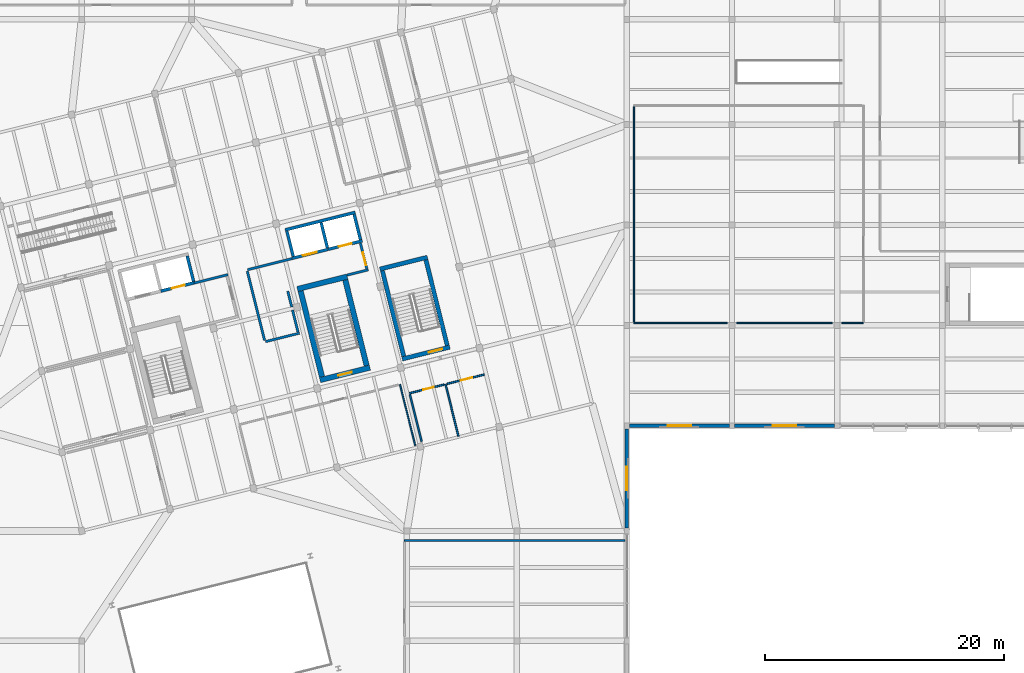
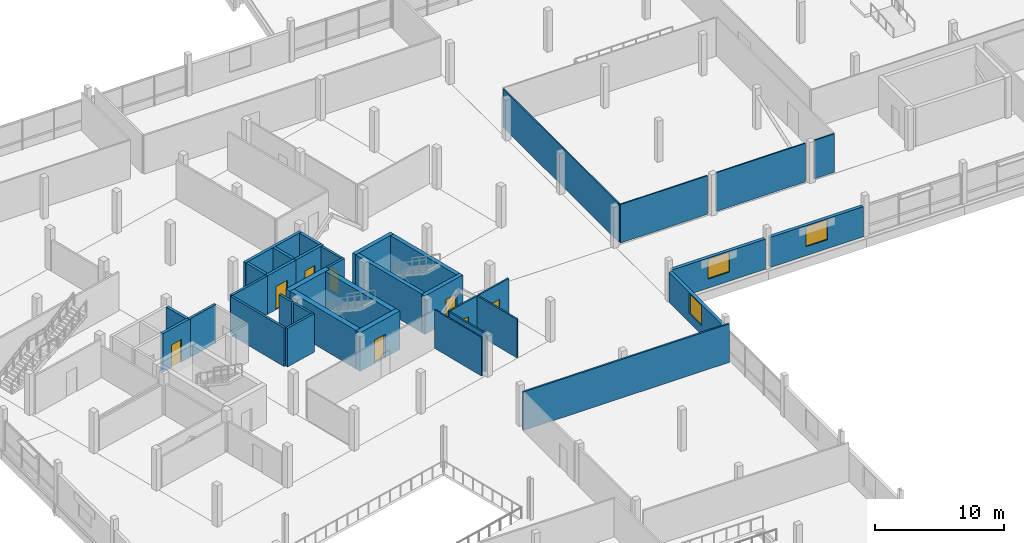
# One storey, part 52 of 62: 37 walls, 8 doors, 3 windows, 11 openings.
"""IFC4 building model written with IfcOpenShell, lengths in metres."""

from ifc_helpers import new_model, si_unit, direction, frame, frame_2d, origin, place, context, subcontext, project, spatial, rectangle, extrude, material, layer, layer_set, type_object, element, fill, save


model = new_model("IFC4")

# Units and contexts
model_context = context("Model", 3, precision=1e-05, world=origin(), true_north=direction((0.0, 1.0)))
body_context = subcontext(model_context, "Body", "Model", "MODEL_VIEW")
ifc_project = project(units=[si_unit("LENGTHUNIT", "METRE"), si_unit("AREAUNIT", "SQUARE_METRE"), si_unit("VOLUMEUNIT", "CUBIC_METRE"), si_unit("PLANEANGLEUNIT", "RADIAN"), si_unit("MASSUNIT", "GRAM", prefix="KILO")], contexts=[model_context])

# Site, building, storey
site_placement = place(None, origin())
site = spatial("IfcSite", under=ifc_project, at=site_placement, CompositionType="ELEMENT")
building_placement = place(site_placement, origin())
building = spatial("IfcBuilding", under=site, at=building_placement, Name="Meriwether Solvik Hall", CompositionType="ELEMENT")
storey_placement = place(building_placement, frame((0.0, 0.0, 14.39990234375)))
storey = spatial("IfcBuildingStorey", under=building, at=storey_placement, Name="L03", CompositionType="ELEMENT", Elevation=14.39990234375)

# Wall, opening, window
ifc_material_1 = material(Name="Cross-Laminated Timber and Mineral-Wool Insulation", Category="wood")
ifc_layer_1 = layer(ifc_material_1, 0.2900390625)
ifc_layer_set_1 = layer_set([ifc_layer_1], Name="Cross-Laminated Timber and Mineral-Wool Insulation")
wall_type_1 = type_object("IfcWallType", Name="WALL-EXT-290", PredefinedType="SOLIDWALL", material=ifc_layer_set_1)
wall_1_placement = place(storey_placement, frame((122.778076171875, 50.0, 0.0), z_axis=(0.0, 0.0, 1.0), x_axis=(-1.0, 0.0, 0.0)))
wall_1 = element("IfcWall", 1, at=wall_1_placement, inside=storey, type_object=wall_type_1, Name="L03 S Wing Facade Wall XF_13_6", PredefinedType="SOLIDWALL", context=body_context, shape_type="SweptSolid", body=[
    extrude(rectangle(XDim=8.35595703125, YDim=0.2900390625, at=frame_2d((4.177978515625, 0.0))), origin(), (0.0, 0.0, 1.0), 2.85498046875),
])
opening_1_placement = place(wall_1_placement, frame((3.202880859375, 0.0, 0.85009765625)))
opening_1 = element("IfcOpeningElement", 2, at=opening_1_placement, cuts=wall_1, Name="Opening WN-158", PredefinedType="OPENING", context=body_context, shape_type="SweptSolid", body=[
    extrude(rectangle(XDim=1.949951171875, YDim=1.89990234375, at=frame_2d((0.97509765625, 0.949951171875))), frame((0.0, 0.156982421875, 0.0), z_axis=(0.0, -1.0, 0.0), x_axis=(1.0, 0.0, 0.0)), (0.0, 0.0, 1.0), 0.31396484375),
])
ifc_material_2 = material(Name="Thermally Broken Anodised Aluminium and Triple Low-E Glass", Category="aluminium")
window_type = type_object("IfcWindowType", Name="WIN-TW-LOW-195X190", PartitioningType="SINGLE_PANEL", PredefinedType="WINDOW", material=ifc_material_2)
window_1_placement = place(opening_1_placement, origin())
window_1 = element("IfcWindow", 3, at=window_1_placement, inside=storey, type_object=window_type, Name="L03 S Window XF_13_6", OverallHeight=1.89990234375, OverallWidth=1.949951171875, PartitioningType="SINGLE_PANEL", PredefinedType="WINDOW", context=body_context, shape_type="SweptSolid", body=[
    extrude(rectangle(XDim=1.949951171875, YDim=1.89990234375, at=frame_2d((0.97509765625, 0.949951171875))), frame((0.0, 0.030029296875, 0.0), z_axis=(0.0, -1.0, 0.0), x_axis=(1.0, 0.0, 0.0)), (0.0, 0.0, 1.0), 0.06005859375),
])
fill(opening_1, window_1)

wall_2_placement = place(storey_placement, frame((131.577880859375, 50.0, 0.0), z_axis=(0.0, 0.0, 1.0), x_axis=(-1.0, 0.0, 0.0)))
wall_2 = element("IfcWall", 4, at=wall_2_placement, inside=storey, type_object=wall_type_1, Name="L03 S Wing Facade Wall XF_14_7", PredefinedType="SOLIDWALL", context=body_context, shape_type="SweptSolid", body=[
    extrude(rectangle(XDim=8.35595703125, YDim=0.2900390625, at=frame_2d((4.177978515625, 0.0))), origin(), (0.0, 0.0, 1.0), 2.85498046875),
])
opening_2_placement = place(wall_2_placement, frame((3.202880859375, 0.0, 0.85009765625)))
opening_2 = element("IfcOpeningElement", 5, at=opening_2_placement, cuts=wall_2, Name="Opening WN-158", PredefinedType="OPENING", context=body_context, shape_type="SweptSolid", body=[
    extrude(rectangle(XDim=1.949951171875, YDim=1.89990234375, at=frame_2d((0.97509765625, 0.949951171875))), frame((0.0, 0.156982421875, 0.0), z_axis=(0.0, -1.0, 0.0), x_axis=(1.0, 0.0, 0.0)), (0.0, 0.0, 1.0), 0.31396484375),
])
window_2_placement = place(opening_2_placement, origin())
window_2 = element("IfcWindow", 6, at=window_2_placement, inside=storey, type_object=window_type, Name="L03 S Window XF_14_7", OverallHeight=1.89990234375, OverallWidth=1.949951171875, PartitioningType="SINGLE_PANEL", PredefinedType="WINDOW", context=body_context, shape_type="SweptSolid", body=[
    extrude(rectangle(XDim=1.949951171875, YDim=1.89990234375, at=frame_2d((0.97509765625, 0.949951171875))), frame((0.0, 0.030029296875, 0.0), z_axis=(0.0, -1.0, 0.0), x_axis=(1.0, 0.0, 0.0)), (0.0, 0.0, 1.0), 0.06005859375),
])
fill(opening_2, window_2)

wall_3_placement = place(storey_placement, frame((114.199951171875, 49.740478515625, 0.0), z_axis=(0.0, 0.0, 1.0), x_axis=(0.0, -1.0, 0.0)))
wall_3 = element("IfcWall", 7, at=wall_3_placement, inside=storey, type_object=wall_type_1, Name="L03 E Wing Facade Wall Y13_5_38", PredefinedType="SOLIDWALL", context=body_context, shape_type="SweptSolid", body=[
    extrude(rectangle(XDim=8.281005859375, YDim=0.2900390625, at=frame_2d((4.140625, 0.0))), origin(), (0.0, 0.0, 1.0), 2.85498046875),
])
opening_3_placement = place(wall_3_placement, frame((3.16552734375, 0.0, 0.85009765625)))
opening_3 = element("IfcOpeningElement", 8, at=opening_3_placement, cuts=wall_3, Name="Opening WN-158", PredefinedType="OPENING", context=body_context, shape_type="SweptSolid", body=[
    extrude(rectangle(XDim=1.949951171875, YDim=1.89990234375, at=frame_2d((0.97509765625, 0.949951171875))), frame((0.0, 0.156982421875, 0.0), z_axis=(0.0, -1.0, 0.0), x_axis=(1.0, 0.0, 0.0)), (0.0, 0.0, 1.0), 0.31396484375),
])
window_3_placement = place(opening_3_placement, origin())
window_3 = element("IfcWindow", 9, at=window_3_placement, inside=storey, type_object=window_type, Name="L03 E Window Y13_5_38", OverallHeight=1.89990234375, OverallWidth=1.949951171875, PartitioningType="SINGLE_PANEL", PredefinedType="WINDOW", context=body_context, shape_type="SweptSolid", body=[
    extrude(rectangle(XDim=1.949951171875, YDim=1.89990234375, at=frame_2d((0.97509765625, 0.949951171875))), frame((0.0, 0.030029296875, 0.0), z_axis=(0.0, -1.0, 0.0), x_axis=(1.0, 0.0, 0.0)), (0.0, 0.0, 1.0), 0.06005859375),
])
fill(opening_3, window_3)

# Walls
ifc_material_3 = material(Name="Fire-Rated Type X Gypsum Board", Category="gypsum")
ifc_layer_2 = layer(ifc_material_3, 0.199951171875)
ifc_layer_set_2 = layer_set([ifc_layer_2], Name="Fire-Rated Type X Gypsum Board")
wall_type_2 = type_object("IfcWallType", Name="WALL-FIRE-200", PredefinedType="STANDARD", material=ifc_layer_set_2)
wall_4_placement = place(storey_placement, frame((77.991943359375, 61.938232421875, 0.0), z_axis=(0.0, 0.0, 1.0), x_axis=(0.970304586447, 0.241886356621, 0.0)))
element("IfcWall", 10, at=wall_4_placement, inside=storey, type_object=wall_type_2, Name="L03 Interior Partition lb1_n_cap", PredefinedType="STANDARD", context=body_context, shape_type="SweptSolid", body=[
    extrude(rectangle(XDim=2.919921875, YDim=0.199951171875, at=frame_2d((1.4599609375, 0.0))), origin(), (0.0, 0.0, 1.0), 3.655029296875),
])
wall_5_placement = place(storey_placement, frame((82.452880859375, 62.93701171875, 0.0), z_axis=(0.0, 0.0, 1.0), x_axis=(0.241891967324, -0.970303187743, 0.0)))
element("IfcWall", 11, at=wall_5_placement, inside=storey, type_object=wall_type_2, Name="L03 Interior Partition lb2_w", PredefinedType="STANDARD", context=body_context, shape_type="SweptSolid", body=[
    extrude(rectangle(XDim=5.97998046875, YDim=0.199951171875, at=frame_2d((2.989990234375, 0.0))), origin(), (0.0, 0.0, 1.0), 3.655029296875),
])
wall_6_placement = place(storey_placement, frame((83.972412109375, 57.03955078125, 0.0), z_axis=(0.0, 0.0, 1.0), x_axis=(0.970308790931, 0.241869490102, 0.0)))
element("IfcWall", 12, at=wall_6_placement, inside=storey, type_object=wall_type_2, Name="L03 Interior Partition lb2_s_w", PredefinedType="STANDARD", context=body_context, shape_type="SweptSolid", body=[
    extrude(rectangle(XDim=2.932373046875, YDim=0.199951171875, at=frame_2d((1.46630859375, 0.0))), origin(), (0.0, 0.0, 1.0), 3.655029296875),
])
wall_7_placement = place(storey_placement, frame((86.691650390625, 57.841064453125, 0.0), z_axis=(0.0, 0.0, 1.0), x_axis=(-0.241992731984, 0.970278062035, 0.0)))
element("IfcWall", 13, at=wall_7_placement, inside=storey, type_object=wall_type_2, Name="L03 Interior Partition lb2_e_low", PredefinedType="STANDARD", context=body_context, shape_type="SweptSolid", body=[
    extrude(rectangle(XDim=1.90478515625, YDim=0.199951171875, at=frame_2d((0.952392578125, 0.0))), origin(), (0.0, 0.0, 1.0), 3.655029296875),
])
wall_8_placement = place(storey_placement, frame((86.169921875, 59.932861328125, 0.0), z_axis=(0.0, 0.0, 1.0), x_axis=(-0.241824833036, 0.970319921535, 0.0)))
element("IfcWall", 14, at=wall_8_placement, inside=storey, type_object=wall_type_2, Name="L03 Interior Partition lb2_e_low_s2", PredefinedType="STANDARD", context=body_context, shape_type="SweptSolid", body=[
    extrude(rectangle(XDim=1.3740234375, YDim=0.199951171875, at=frame_2d((0.68701171875, 0.0))), origin(), (0.0, 0.0, 1.0), 3.655029296875),
])
wall_9_placement = place(storey_placement, frame((82.47265625, 63.05517578125, 0.0), z_axis=(0.0, 0.0, 1.0), x_axis=(0.970284368558, 0.241967444366, 0.0)))
element("IfcWall", 15, at=wall_9_placement, inside=storey, type_object=wall_type_2, Name="L03 Interior Partition lb2_n_cap_w", PredefinedType="STANDARD", context=body_context, shape_type="SweptSolid", body=[
    extrude(rectangle(XDim=3.84228515625, YDim=0.199951171875, at=frame_2d((1.921142578125, 0.0))), origin(), (0.0, 0.0, 1.0), 3.655029296875),
])
wall_10_placement = place(storey_placement, frame((90.791015625, 62.604248046875, 0.0), z_axis=(0.0, 0.0, 1.0), x_axis=(0.970306180373, 0.241879962645, 0.0)))
element("IfcWall", 16, at=wall_10_placement, inside=storey, type_object=wall_type_2, Name="L03 Interior Partition lb2_s", PredefinedType="STANDARD", context=body_context, shape_type="SweptSolid", body=[
    extrude(rectangle(XDim=1.840087890625, YDim=0.199951171875, at=frame_2d((0.919921875, 0.0))), origin(), (0.0, 0.0, 1.0), 3.655029296875),
])

# Wall, opening, door
wall_11_placement = place(storey_placement, frame((91.913330078125, 65.295654296875, 0.0), z_axis=(0.0, 0.0, 1.0), x_axis=(0.241836892041, -0.970316916089, 0.0)))
wall_11 = element("IfcWall", 17, at=wall_11_placement, inside=storey, type_object=wall_type_2, Name="L03 Interior Partition lb2_e", PredefinedType="STANDARD", context=body_context, shape_type="SweptSolid", body=[
    extrude(rectangle(XDim=2.219970703125, YDim=0.199951171875, at=frame_2d((1.10986328125, 0.0))), origin(), (0.0, 0.0, 1.0), 3.655029296875),
])
opening_4_placement = place(wall_11_placement, frame((0.820068359375, 0.0, 0.0)))
opening_4 = element("IfcOpeningElement", 18, at=opening_4_placement, cuts=wall_11, Name="Opening D-168", PredefinedType="OPENING", context=body_context, shape_type="SweptSolid", body=[
    extrude(rectangle(XDim=1.10009765625, YDim=2.199951171875, at=frame_2d((0.550048828125, 1.10009765625))), frame((0.0, 0.11181640625, 0.0), z_axis=(0.0, -1.0, 0.0), x_axis=(1.0, 0.0, 0.0)), (0.0, 0.0, 1.0), 0.223876953125),
])
ifc_material_4 = material(Name="Steel A36 Galvanised", Category="steel")
door_type_1 = type_object("IfcDoorType", Name="DR-FD60-1100L", OperationType="SINGLE_SWING_LEFT", PredefinedType="DOOR", material=ifc_material_4)
door_1_placement = place(opening_4_placement, origin())
door_1 = element("IfcDoor", 19, at=door_1_placement, inside=storey, type_object=door_type_1, Name="East FSAE Lift Lobby Door (L03)", OperationType="SINGLE_SWING_LEFT", OverallHeight=2.199951171875, OverallWidth=1.10009765625, PredefinedType="DOOR", context=body_context, shape_type="SweptSolid", body=[
    extrude(rectangle(XDim=1.10009765625, YDim=2.199951171875, at=frame_2d((0.550048828125, 1.10009765625))), frame((0.0, 0.02490234375, 0.0), z_axis=(0.0, -1.0, 0.0), x_axis=(1.0, 0.0, 0.0)), (0.0, 0.0, 1.0), 0.050048828125),
])
fill(opening_4, door_1)

# Walls
ifc_material_5 = material(Name="Tempered Laminated Glass in Anodised Aluminium Frame", Category="aluminium")
ifc_layer_3 = layer(ifc_material_5, 0.112060546875)
ifc_layer_set_3 = layer_set([ifc_layer_3], Name="Tempered Laminated Glass in Anodised Aluminium Frame")
wall_type_3 = type_object("IfcWallType", Name="WALL-GLZ-112", PredefinedType="PARTITIONING", material=ifc_layer_set_3)
wall_12_placement = place(storey_placement, frame((114.800048828125, 58.60009765625, 0.0), z_axis=(0.0, 0.0, 1.0), x_axis=(1.0, 0.0, 0.0)))
element("IfcWall", 20, at=wall_12_placement, inside=storey, type_object=wall_type_3, Name="L03 Interior Partition dig_com_3_s", PredefinedType="PARTITIONING", context=body_context, shape_type="SweptSolid", body=[
    extrude(rectangle(XDim=7.810302734375, YDim=0.112060546875, at=frame_2d((3.9052734375, 0.0))), origin(), (0.0, 0.0, 1.0), 3.655029296875),
])
wall_13_placement = place(storey_placement, frame((123.3896484375, 58.60009765625, 0.0), z_axis=(0.0, 0.0, 1.0), x_axis=(1.0, 0.0, 0.0)))
element("IfcWall", 21, at=wall_13_placement, inside=storey, type_object=wall_type_3, Name="L03 Interior Partition dig_com_3_s_s2", PredefinedType="PARTITIONING", context=body_context, shape_type="SweptSolid", body=[
    extrude(rectangle(XDim=8.020751953125, YDim=0.112060546875, at=frame_2d((4.01025390625, 0.0))), origin(), (0.0, 0.0, 1.0), 3.655029296875),
])
wall_14_placement = place(storey_placement, frame((132.189697265625, 58.60009765625, 0.0), z_axis=(0.0, 0.0, 1.0), x_axis=(1.0, 0.0, 0.0)))
element("IfcWall", 22, at=wall_14_placement, inside=storey, type_object=wall_type_3, Name="L03 Interior Partition dig_com_3_s_s3", PredefinedType="PARTITIONING", context=body_context, shape_type="SweptSolid", body=[
    extrude(rectangle(XDim=1.810302734375, YDim=0.112060546875, at=frame_2d((0.9052734375, 0.0))), origin(), (0.0, 0.0, 1.0), 3.655029296875),
])
wall_15_placement = place(storey_placement, frame((114.800048828125, 76.679931640625, 0.0), z_axis=(0.0, 0.0, 1.0), x_axis=(0.0, -1.0, 0.0)))
element("IfcWall", 23, at=wall_15_placement, inside=storey, type_object=wall_type_3, Name="L03 Interior Partition dig_com_3_w", PredefinedType="PARTITIONING", context=body_context, shape_type="SweptSolid", body=[
    extrude(rectangle(XDim=17.9599609375, YDim=0.112060546875, at=frame_2d((8.97998046875, 0.0))), origin(), (0.0, 0.0, 1.0), 3.655029296875),
])
wall_16_placement = place(storey_placement, frame((96.50048828125, 48.343994140625, 0.0), z_axis=(0.0, 0.0, 1.0), x_axis=(-0.241914024689, 0.970297688681, 0.0)))
element("IfcWall", 24, at=wall_16_placement, inside=storey, type_object=wall_type_3, Name="L03 Interior Partition sem_sc_e", PredefinedType="PARTITIONING", context=body_context, shape_type="SweptSolid", body=[
    extrude(rectangle(XDim=5.26806640625, YDim=0.112060546875, at=frame_2d((2.634033203125, 0.0))), origin(), (0.0, 0.0, 1.0), 3.655029296875),
])
ifc_material_6 = material(Name="Concrete C40/50", Category="concrete")
ifc_layer_4 = layer(ifc_material_6, 0.25)
ifc_layer_set_4 = layer_set([ifc_layer_4], Name="Concrete C40/50")
wall_type_4 = type_object("IfcWallType", Name="WALL-HOIST-250", PredefinedType="SHEAR", material=ifc_layer_set_4)
wall_17_placement = place(storey_placement, frame((77.948486328125, 62.09228515625, 0.0), z_axis=(0.0, 0.0, 1.0), x_axis=(-0.241903146974, 0.970300400641, 0.0)))
element("IfcWall", 25, at=wall_17_placement, inside=storey, type_object=wall_type_4, Name="Hoistway BANK1 East Wall (L03)", PredefinedType="SHEAR", context=body_context, shape_type="SweptSolid", body=[
    extrude(rectangle(XDim=2.179931640625, YDim=0.25, at=frame_2d((1.08984375, 0.0))), origin(), (0.0, 0.0, 1.0), 3.655029296875),
])

# Wall, opening, door
wall_18_placement = place(storey_placement, frame((75.225341796875, 61.274169921875, 0.0), z_axis=(0.0, 0.0, 1.0), x_axis=(0.970297295425, 0.241915601999, 0.0)))
wall_18 = element("IfcWall", 26, at=wall_18_placement, inside=storey, type_object=wall_type_4, Name="Lift LP-01 Landing Wall (L03)", PredefinedType="SHEAR", context=body_context, shape_type="SweptSolid", body=[
    extrude(rectangle(XDim=2.965087890625, YDim=0.25, at=frame_2d((1.482421875, 0.0))), origin(), (0.0, 0.0, 1.0), 3.655029296875),
])
opening_5_placement = place(wall_18_placement, frame((0.9326171875, 0.0, 0.0)))
opening_5 = element("IfcOpeningElement", 27, at=opening_5_placement, cuts=wall_18, Name="Opening LD-03", PredefinedType="OPENING", context=body_context, shape_type="SweptSolid", body=[
    extrude(rectangle(XDim=1.10009765625, YDim=2.14990234375, at=frame_2d((0.550048828125, 1.074951171875))), frame((0.0, 0.136962890625, 0.0), z_axis=(0.0, -1.0, 0.0), x_axis=(1.0, 0.0, 0.0)), (0.0, 0.0, 1.0), 0.27392578125),
])
ifc_material_7 = material(Name="Stainless Steel AISI 316", Category="steel")
door_type_2 = type_object("IfcDoorType", Name="DR-LIFT-PASS", OperationType="DOUBLE_DOOR_SLIDING", PredefinedType="DOOR", material=ifc_material_7)
door_2_placement = place(opening_5_placement, origin())
door_2 = element("IfcDoor", 28, at=door_2_placement, inside=storey, type_object=door_type_2, Name="Lift Landing Door LP-01 (L03)", OperationType="DOUBLE_DOOR_SLIDING", OverallHeight=2.14990234375, OverallWidth=1.10009765625, PredefinedType="DOOR", context=body_context, shape_type="SweptSolid", body=[
    extrude(rectangle(XDim=1.10009765625, YDim=2.14990234375, at=frame_2d((0.550048828125, 1.074951171875))), frame((0.0, 0.02490234375, 0.0), z_axis=(0.0, -1.0, 0.0), x_axis=(1.0, 0.0, 0.0)), (0.0, 0.0, 1.0), 0.050048828125),
])
fill(opening_5, door_2)

# Walls
wall_19_placement = place(storey_placement, frame((91.48193359375, 67.852294921875, 0.0), z_axis=(0.0, 0.0, 1.0), x_axis=(-0.970296596103, -0.241918406889, 0.0)))
element("IfcWall", 29, at=wall_19_placement, inside=storey, type_object=wall_type_4, Name="Hoistway BANK2 North Wall (L03)", PredefinedType="SHEAR", context=body_context, shape_type="SweptSolid", body=[
    extrude(rectangle(XDim=6.050048828125, YDim=0.25, at=frame_2d((3.02490234375, 0.0))), origin(), (0.0, 0.0, 1.0), 3.655029296875),
])
for number, where, z_axis, x_axis, name in (
    (30, (85.765625, 66.287841796875, 0.0), (0.0, 0.0, 1.0), (0.241903146974, -0.970300400641, 0.0), "Hoistway BANK2 West Wall (L03)"),
    (31, (91.920654296875, 65.575927734375, 0.0), (0.0, 0.0, 1.0), (-0.241903146974, 0.970300400641, 0.0), "Hoistway BANK2 East Wall (L03)"),
    (32, (89.1552734375, 64.886474609375, 0.0), (0.0, 0.0, 1.0), (-0.241903146974, 0.970300400641, 0.0), "Hoistway BANK2 Divider Pier (L03)"),
):
    element("IfcWall", number, at=place(storey_placement, frame(where, z_axis=z_axis, x_axis=x_axis)), inside=storey, type_object=wall_type_4, Name=name, PredefinedType="SHEAR", context=body_context, shape_type="SweptSolid", body=[
        extrude(rectangle(XDim=2.179931640625, YDim=0.25, at=frame_2d((1.08984375, 0.0))), origin(), (0.0, 0.0, 1.0), 3.655029296875),
    ])

# Wall, opening, door
wall_20_placement = place(storey_placement, frame((86.204345703125, 64.011474609375, 0.0), z_axis=(0.0, 0.0, 1.0), x_axis=(0.970296930481, 0.241917065747, 0.0)))
wall_20 = element("IfcWall", 33, at=wall_20_placement, inside=storey, type_object=wall_type_4, Name="Lift LF-02 Landing Wall (L03)", PredefinedType="SHEAR", context=body_context, shape_type="SweptSolid", body=[
    extrude(rectangle(XDim=3.06494140625, YDim=0.25, at=frame_2d((1.532470703125, 0.0))), origin(), (0.0, 0.0, 1.0), 3.655029296875),
])
opening_6_placement = place(wall_20_placement, frame((0.9326171875, 0.0, 0.0)))
opening_6 = element("IfcOpeningElement", 34, at=opening_6_placement, cuts=wall_20, Name="Opening LD-02", PredefinedType="OPENING", context=body_context, shape_type="SweptSolid", body=[
    extrude(rectangle(XDim=1.199951171875, YDim=2.199951171875, at=frame_2d((0.60009765625, 1.10009765625))), frame((0.0, 0.136962890625, 0.0), z_axis=(0.0, -1.0, 0.0), x_axis=(1.0, 0.0, 0.0)), (0.0, 0.0, 1.0), 0.27392578125),
])
ifc_material_8 = material(Name="Stainless Steel AISI 316", Category="steel")
door_type_3 = type_object("IfcDoorType", Name="DR-LIFT-FSAE", OperationType="DOUBLE_DOOR_SLIDING", PredefinedType="DOOR", material=ifc_material_8)
door_3_placement = place(opening_6_placement, origin())
door_3 = element("IfcDoor", 35, at=door_3_placement, inside=storey, type_object=door_type_3, Name="Lift Landing Door LF-02 (L03)", OperationType="DOUBLE_DOOR_SLIDING", OverallHeight=2.199951171875, OverallWidth=1.199951171875, PredefinedType="DOOR", context=body_context, shape_type="SweptSolid", body=[
    extrude(rectangle(XDim=1.199951171875, YDim=2.199951171875, at=frame_2d((0.60009765625, 1.10009765625))), frame((0.0, 0.02490234375, 0.0), z_axis=(0.0, -1.0, 0.0), x_axis=(1.0, 0.0, 0.0)), (0.0, 0.0, 1.0), 0.050048828125),
])
fill(opening_6, door_3)

wall_21_placement = place(storey_placement, frame((89.19775390625, 64.7578125, 0.0), z_axis=(0.0, 0.0, 1.0), x_axis=(0.970297295425, 0.241915601999, 0.0)))
wall_21 = element("IfcWall", 36, at=wall_21_placement, inside=storey, type_object=wall_type_4, Name="Lift LP-02 Landing Wall (L03)", PredefinedType="SHEAR", context=body_context, shape_type="SweptSolid", body=[
    extrude(rectangle(XDim=2.965087890625, YDim=0.25, at=frame_2d((1.482421875, 0.0))), origin(), (0.0, 0.0, 1.0), 3.655029296875),
])
opening_7_placement = place(wall_21_placement, frame((0.9326171875, 0.0, 0.0)))
opening_7 = element("IfcOpeningElement", 37, at=opening_7_placement, cuts=wall_21, Name="Opening LD-04", PredefinedType="OPENING", context=body_context, shape_type="SweptSolid", body=[
    extrude(rectangle(XDim=1.10009765625, YDim=2.14990234375, at=frame_2d((0.550048828125, 1.074951171875))), frame((0.0, 0.136962890625, 0.0), z_axis=(0.0, -1.0, 0.0), x_axis=(1.0, 0.0, 0.0)), (0.0, 0.0, 1.0), 0.27392578125),
])
door_4_placement = place(opening_7_placement, origin())
door_4 = element("IfcDoor", 38, at=door_4_placement, inside=storey, type_object=door_type_2, Name="Lift Landing Door LP-02 (L03)", OperationType="DOUBLE_DOOR_SLIDING", OverallHeight=2.14990234375, OverallWidth=1.10009765625, PredefinedType="DOOR", context=body_context, shape_type="SweptSolid", body=[
    extrude(rectangle(XDim=1.10009765625, YDim=2.14990234375, at=frame_2d((0.550048828125, 1.074951171875))), frame((0.0, 0.02490234375, 0.0), z_axis=(0.0, -1.0, 0.0), x_axis=(1.0, 0.0, 0.0)), (0.0, 0.0, 1.0), 0.050048828125),
])
fill(opening_7, door_4)

# Wall
ifc_material_9 = material(Name="Gypsum Board Partition", Category="gypsum")
ifc_layer_5 = layer(ifc_material_9, 0.14990234375)
ifc_layer_set_5 = layer_set([ifc_layer_5], Name="Gypsum Board Partition")
wall_type_5 = type_object("IfcWallType", Name="WALL-PART-150", PredefinedType="PARTITIONING", material=ifc_layer_set_5)
wall_22_placement = place(storey_placement, frame((114.050048828125, 40.39990234375, 0.0), z_axis=(0.0, 0.0, 1.0), x_axis=(-1.0, 0.0, 0.0)))
element("IfcWall", 39, at=wall_22_placement, inside=storey, type_object=wall_type_5, Name="L03 Interior Partition pol_302_n", PredefinedType="PARTITIONING", context=body_context, shape_type="SweptSolid", body=[
    extrude(rectangle(XDim=18.449951171875, YDim=0.14990234375, at=frame_2d((9.22509765625, 0.0))), origin(), (0.0, 0.0, 1.0), 3.655029296875),
])

# Wall, opening, door
ifc_material_10 = material(Name="Concrete C40/50", Category="concrete")
ifc_layer_6 = layer(ifc_material_10, 0.35009765625)
ifc_layer_set_6 = layer_set([ifc_layer_6], Name="Concrete C40/50")
wall_type_6 = type_object("IfcWallType", Name="WALL-RC-350", PredefinedType="SHEAR", material=ifc_layer_set_6)
wall_23_placement = place(storey_placement, frame((95.415283203125, 55.589599609375, 0.0), z_axis=(0.0, 0.0, 1.0), x_axis=(0.970292928015, 0.241933118535, 0.0)))
wall_23 = element("IfcWall", 40, at=wall_23_placement, inside=storey, type_object=wall_type_6, Name="CORE-3 Shear Wall S (L03)", PredefinedType="SHEAR", context=body_context, shape_type="SweptSolid", body=[
    extrude(rectangle(XDim=4.10009765625, YDim=0.35009765625, at=frame_2d((2.050048828125, 0.0))), origin(), (0.0, 0.0, 1.0), 3.655029296875),
])
opening_8_placement = place(wall_23_placement, frame((2.300048828125, 0.0, 0.0)))
opening_8 = element("IfcOpeningElement", 41, at=opening_8_placement, cuts=wall_23, Name="Opening D-148", PredefinedType="OPENING", context=body_context, shape_type="SweptSolid", body=[
    extrude(rectangle(XDim=1.14990234375, YDim=2.199951171875, at=frame_2d((0.574951171875, 1.10009765625))), frame((0.0, 0.18701171875, 0.0), z_axis=(0.0, -1.0, 0.0), x_axis=(1.0, 0.0, 0.0)), (0.0, 0.0, 1.0), 0.3740234375),
])
ifc_material_11 = material(Name="Steel A36 Galvanised", Category="steel")
door_type_4 = type_object("IfcDoorType", Name="DR-FD90-1150R", OperationType="SINGLE_SWING_RIGHT", PredefinedType="DOOR", material=ifc_material_11)
door_5_placement = place(opening_8_placement, origin())
door_5 = element("IfcDoor", 42, at=door_5_placement, inside=storey, type_object=door_type_4, Name="Stair ST-03 Smokeproof Exit Door (L03)", OperationType="SINGLE_SWING_RIGHT", OverallHeight=2.199951171875, OverallWidth=1.14990234375, PredefinedType="DOOR", context=body_context, shape_type="SweptSolid", body=[
    extrude(rectangle(XDim=1.14990234375, YDim=2.199951171875, at=frame_2d((0.574951171875, 1.10009765625))), frame((0.0, 0.02490234375, 0.0), z_axis=(0.0, -1.0, 0.0), x_axis=(1.0, 0.0, 0.0)), (0.0, 0.0, 1.0), 0.050048828125),
])
fill(opening_8, door_5)

# Walls
wall_24_placement = place(storey_placement, frame((97.5185546875, 64.101318359375, 0.0), z_axis=(0.0, 0.0, 1.0), x_axis=(-0.970289442421, -0.241947097371, 0.0)))
element("IfcWall", 43, at=wall_24_placement, inside=storey, type_object=wall_type_6, Name="CORE-3 Shear Wall N (L03)", PredefinedType="SHEAR", context=body_context, shape_type="SweptSolid", body=[
    extrude(rectangle(XDim=4.099853515625, YDim=0.35009765625, at=frame_2d((2.0498046875, 0.0))), origin(), (0.0, 0.0, 1.0), 3.655029296875),
])
for number, where, z_axis, x_axis, name in (
    (44, (93.755126953125, 62.97216796875, 0.0), (0.0, 0.0, 1.0), (0.241897280066, -0.970301863286, 0.0), "CORE-3 Shear Wall W (L03)"),
    (45, (99.178955078125, 56.71875, 0.0), (0.0, 0.0, 1.0), (-0.241928426141, 0.970294098006, 0.0), "CORE-3 Shear Wall E (L03)"),
):
    element("IfcWall", number, at=place(storey_placement, frame(where, z_axis=z_axis, x_axis=x_axis)), inside=storey, type_object=wall_type_6, Name=name, PredefinedType="SHEAR", context=body_context, shape_type="SweptSolid", body=[
        extrude(rectangle(XDim=7.3798828125, YDim=0.35009765625, at=frame_2d((3.68994140625, 0.0))), origin(), (0.0, 0.0, 1.0), 3.655029296875),
    ])

# Wall, opening, door
ifc_material_12 = material(Name="Concrete C45/55", Category="concrete")
ifc_layer_7 = layer(ifc_material_12, 0.449951171875)
ifc_layer_set_7 = layer_set([ifc_layer_7], Name="Concrete C45/55")
wall_type_7 = type_object("IfcWallType", Name="WALL-RC-450", PredefinedType="SHEAR", material=ifc_layer_set_7)
wall_25_placement = place(storey_placement, frame((88.538330078125, 53.823486328125, 0.0), z_axis=(0.0, 0.0, 1.0), x_axis=(0.970295933763, 0.241921063415, 0.0)))
wall_25 = element("IfcWall", 46, at=wall_25_placement, inside=storey, type_object=wall_type_7, Name="CORE-2 Shear Wall S (L03)", PredefinedType="SHEAR", context=body_context, shape_type="SweptSolid", body=[
    extrude(rectangle(XDim=4.300048828125, YDim=0.449951171875, at=frame_2d((2.14990234375, 0.0))), origin(), (0.0, 0.0, 1.0), 3.655029296875),
])
opening_9_placement = place(wall_25_placement, frame((1.574951171875, 0.0, 0.0)))
opening_9 = element("IfcOpeningElement", 47, at=opening_9_placement, cuts=wall_25, Name="Opening D-148", PredefinedType="OPENING", context=body_context, shape_type="SweptSolid", body=[
    extrude(rectangle(XDim=1.14990234375, YDim=2.199951171875, at=frame_2d((0.574951171875, 1.10009765625))), frame((0.0, 0.23681640625, 0.0), z_axis=(0.0, -1.0, 0.0), x_axis=(1.0, 0.0, 0.0)), (0.0, 0.0, 1.0), 0.473876953125),
])
door_6_placement = place(opening_9_placement, origin())
door_6 = element("IfcDoor", 48, at=door_6_placement, inside=storey, type_object=door_type_4, Name="Stair ST-02 Smokeproof Exit Door (L03)", OperationType="SINGLE_SWING_RIGHT", OverallHeight=2.199951171875, OverallWidth=1.14990234375, PredefinedType="DOOR", context=body_context, shape_type="SweptSolid", body=[
    extrude(rectangle(XDim=1.14990234375, YDim=2.199951171875, at=frame_2d((0.574951171875, 1.10009765625))), frame((0.0, 0.02490234375, 0.0), z_axis=(0.0, -1.0, 0.0), x_axis=(1.0, 0.0, 0.0)), (0.0, 0.0, 1.0), 0.050048828125),
])
fill(opening_9, door_6)

# Walls
wall_26_placement = place(storey_placement, frame((90.8115234375, 62.48046875, 0.0), z_axis=(0.0, 0.0, 1.0), x_axis=(-0.970309259708, -0.2418676095, 0.0)))
element("IfcWall", 49, at=wall_26_placement, inside=storey, type_object=wall_type_7, Name="CORE-2 Shear Wall N (L03)", PredefinedType="SHEAR", context=body_context, shape_type="SweptSolid", body=[
    extrude(rectangle(XDim=4.300048828125, YDim=0.449951171875, at=frame_2d((2.14990234375, 0.0))), origin(), (0.0, 0.0, 1.0), 3.655029296875),
])
for number, where, z_axis, x_axis, name in (
    (50, (86.91455078125, 61.266845703125, 0.0), (0.0, 0.0, 1.0), (0.241889515465, -0.970303798976, 0.0), "CORE-2 Shear Wall W (L03)"),
    (51, (92.435546875, 55.037353515625, 0.0), (0.0, 0.0, 1.0), (-0.241920660665, 0.970296034179, 0.0), "CORE-2 Shear Wall E (L03)"),
):
    element("IfcWall", number, at=place(storey_placement, frame(where, z_axis=z_axis, x_axis=x_axis)), inside=storey, type_object=wall_type_7, Name=name, PredefinedType="SHEAR", context=body_context, shape_type="SweptSolid", body=[
        extrude(rectangle(XDim=7.380126953125, YDim=0.449951171875, at=frame_2d((3.68994140625, 0.0))), origin(), (0.0, 0.0, 1.0), 3.655029296875),
    ])
ifc_material_13 = material(Name="Moisture-Resistant Gypsum Board", Category="gypsum")
ifc_layer_8 = layer(ifc_material_13, 0.139892578125)
ifc_layer_set_8 = layer_set([ifc_layer_8], Name="Moisture-Resistant Gypsum Board")
wall_type_8 = type_object("IfcWallType", Name="WALL-WET-140", PredefinedType="PLUMBINGWALL", material=ifc_layer_set_8)
wall_27_placement = place(storey_placement, frame((100.1201171875, 49.12060546875, 0.0), z_axis=(0.0, 0.0, 1.0), x_axis=(-0.2419086774, 0.970299021848, 0.0)))
element("IfcWall", 52, at=wall_27_placement, inside=storey, type_object=wall_type_8, Name="L03 Interior Partition wc_m_e", PredefinedType="PLUMBINGWALL", context=body_context, shape_type="SweptSolid", body=[
    extrude(rectangle(XDim=4.489990234375, YDim=0.139892578125, at=frame_2d((2.2451171875, 0.0))), origin(), (0.0, 0.0, 1.0), 3.655029296875),
])

# Wall, opening, door
wall_28_placement = place(storey_placement, frame((98.91748046875, 53.4482421875, 0.0), z_axis=(0.0, 0.0, 1.0), x_axis=(-0.970296512129, -0.241918743694, 0.0)))
wall_28 = element("IfcWall", 53, at=wall_28_placement, inside=storey, type_object=wall_type_8, Name="L03 Interior Partition wc_m_n", PredefinedType="PLUMBINGWALL", context=body_context, shape_type="SweptSolid", body=[
    extrude(rectangle(XDim=2.980224609375, YDim=0.139892578125, at=frame_2d((1.490234375, 0.0))), origin(), (0.0, 0.0, 1.0), 3.655029296875),
])
opening_10_placement = place(wall_28_placement, frame((0.9013671875, 0.0, 0.0)))
opening_10 = element("IfcOpeningElement", 54, at=opening_10_placement, cuts=wall_28, Name="Opening D-174", PredefinedType="OPENING", context=body_context, shape_type="SweptSolid", body=[
    extrude(rectangle(XDim=0.89990234375, YDim=2.14990234375, at=frame_2d((0.449951171875, 1.074951171875))), frame((0.0, 0.08203125, 0.0), z_axis=(0.0, -1.0, 0.0), x_axis=(1.0, 0.0, 0.0)), (0.0, 0.0, 1.0), 0.163818359375),
])
ifc_material_14 = material(Name="Solid-Core Rift White Oak Timber", Category="wood")
door_type_5 = type_object("IfcDoorType", Name="DR-WC-900L", OperationType="SINGLE_SWING_LEFT", PredefinedType="DOOR", material=ifc_material_14)
door_7_placement = place(opening_10_placement, origin())
door_7 = element("IfcDoor", 55, at=door_7_placement, inside=storey, type_object=door_type_5, Name="L03 Restrooms Door", OperationType="SINGLE_SWING_LEFT", OverallHeight=2.14990234375, OverallWidth=0.89990234375, PredefinedType="DOOR", context=body_context, shape_type="SweptSolid", body=[
    extrude(rectangle(XDim=0.89990234375, YDim=2.14990234375, at=frame_2d((0.449951171875, 1.074951171875))), frame((0.0, 0.02490234375, 0.0), z_axis=(0.0, -1.0, 0.0), x_axis=(1.0, 0.0, 0.0)), (0.0, 0.0, 1.0), 0.050048828125),
])
fill(opening_10, door_7)

# Wall
wall_29_placement = place(storey_placement, frame((96.054931640625, 52.61083984375, 0.0), z_axis=(0.0, 0.0, 1.0), x_axis=(0.241938297122, -0.97029163677, 0.0)))
element("IfcWall", 56, at=wall_29_placement, inside=storey, type_object=wall_type_8, Name="L03 Interior Partition wc_m_w", PredefinedType="PLUMBINGWALL", context=body_context, shape_type="SweptSolid", body=[
    extrude(rectangle(XDim=4.03955078125, YDim=0.139892578125, at=frame_2d((2.019775390625, 0.0))), origin(), (0.0, 0.0, 1.0), 3.655029296875),
])

# Wall, opening, door
wall_30_placement = place(storey_placement, frame((102.284423828125, 54.287841796875, 0.0), z_axis=(0.0, 0.0, 1.0), x_axis=(-0.970289047109, -0.241948682698, 0.0)))
wall_30 = element("IfcWall", 57, at=wall_30_placement, inside=storey, type_object=wall_type_8, Name="L03 Interior Partition wc_a_n", PredefinedType="PLUMBINGWALL", context=body_context, shape_type="SweptSolid", body=[
    extrude(rectangle(XDim=3.22998046875, YDim=0.139892578125, at=frame_2d((1.614990234375, 0.0))), origin(), (0.0, 0.0, 1.0), 3.655029296875),
])
opening_11_placement = place(wall_30_placement, frame((1.0341796875, 0.0, 0.0)))
opening_11 = element("IfcOpeningElement", 58, at=opening_11_placement, cuts=wall_30, Name="Opening D-140", PredefinedType="OPENING", context=body_context, shape_type="SweptSolid", body=[
    extrude(rectangle(XDim=1.0, YDim=2.14990234375, at=frame_2d((0.5, 1.074951171875))), frame((0.0, 0.08203125, 0.0), z_axis=(0.0, -1.0, 0.0), x_axis=(1.0, 0.0, 0.0)), (0.0, 0.0, 1.0), 0.163818359375),
])
ifc_material_15 = material(Name="Solid-Core Rift White Oak Timber", Category="wood")
door_type_6 = type_object("IfcDoorType", Name="DR-ACC-1000L", OperationType="SINGLE_SWING_LEFT", PredefinedType="DOOR", material=ifc_material_15)
door_8_placement = place(opening_11_placement, origin())
door_8 = element("IfcDoor", 59, at=door_8_placement, inside=storey, type_object=door_type_6, Name="L03 Accessible WC Door", OperationType="SINGLE_SWING_LEFT", OverallHeight=2.14990234375, OverallWidth=1.0, PredefinedType="DOOR", context=body_context, shape_type="SweptSolid", body=[
    extrude(rectangle(XDim=1.0, YDim=2.14990234375, at=frame_2d((0.5, 1.074951171875))), frame((0.0, 0.02490234375, 0.0), z_axis=(0.0, -1.0, 0.0), x_axis=(1.0, 0.0, 0.0)), (0.0, 0.0, 1.0), 0.050048828125),
])
fill(opening_11, door_8)

save(model, "model.ifc")
